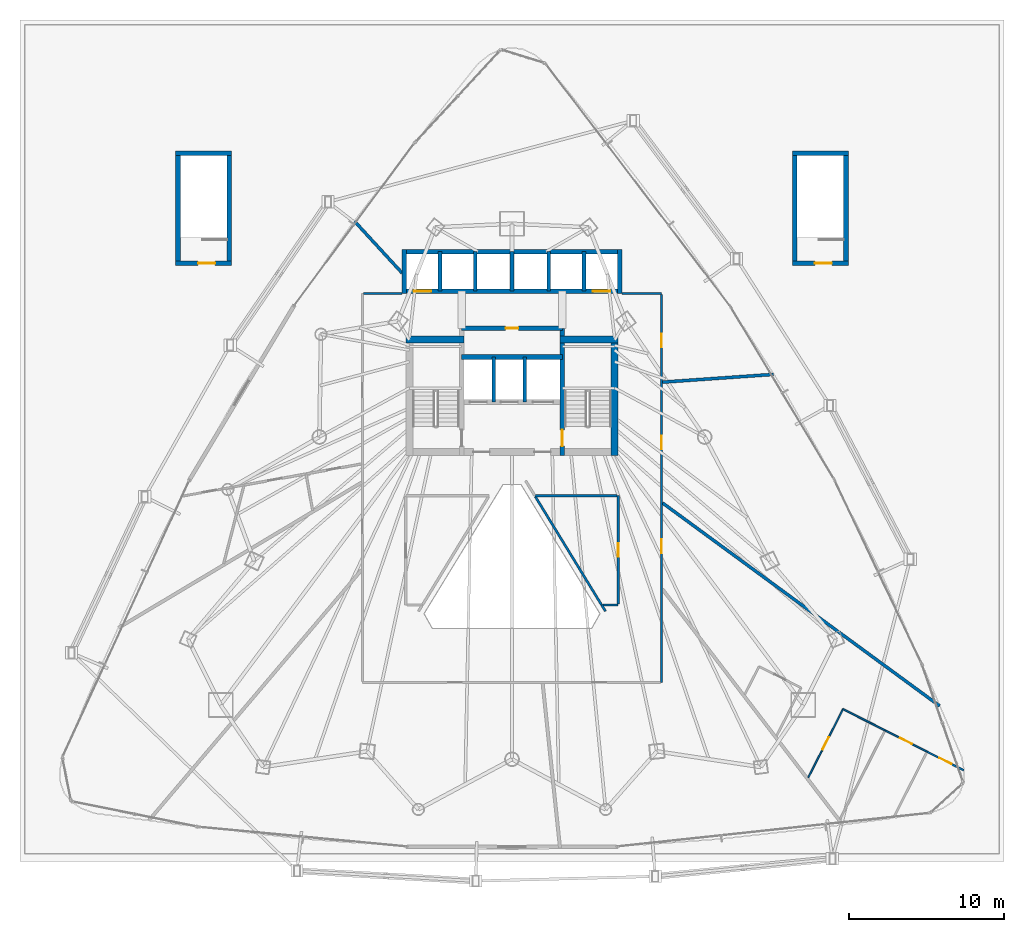
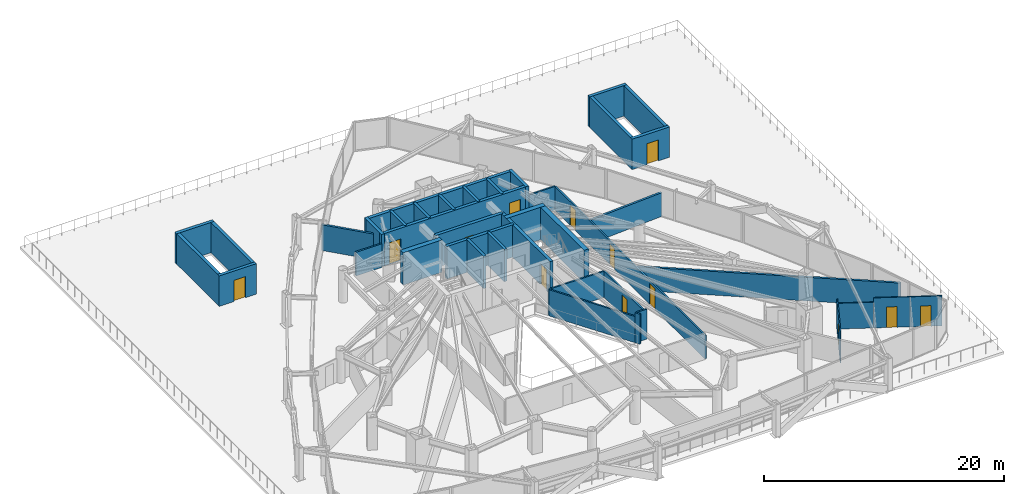
# One storey, part 30 of 36: 40 walls, 13 doors, 13 openings.
"""IFC4 building model written with IfcOpenShell, lengths in metres."""

from ifc_helpers import new_model, si_unit, direction, frame, frame_2d, origin, place, context, subcontext, project, spatial, rectangle, extrude, material, layer, layer_set, type_object, element, fill, save


model = new_model("IFC4")

# Units and contexts
model_context = context("Model", 3, precision=1e-05, world=origin(), true_north=direction((0.0, 1.0)))
body_context = subcontext(model_context, "Body", "Model", "MODEL_VIEW")
ifc_project = project(units=[si_unit("LENGTHUNIT", "METRE"), si_unit("AREAUNIT", "SQUARE_METRE"), si_unit("VOLUMEUNIT", "CUBIC_METRE"), si_unit("PLANEANGLEUNIT", "RADIAN"), si_unit("MASSUNIT", "GRAM", prefix="KILO")], contexts=[model_context])

# Site, building, storey
site_placement = place(None, origin())
site = spatial("IfcSite", under=ifc_project, at=site_placement, CompositionType="ELEMENT")
building_placement = place(site_placement, origin())
building = spatial("IfcBuilding", under=site, at=building_placement, Name="Orvanel Arch Residences", CompositionType="ELEMENT")
storey_placement = place(building_placement, frame((0.0, 0.0, 23.60009765625)))
storey = spatial("IfcBuildingStorey", under=building, at=storey_placement, Name="L05", CompositionType="ELEMENT", Elevation=23.60009765625)

# Walls
ifc_material_1 = material(Name="Concrete N50 (50 MPa)", Category="concrete")
ifc_layer_1 = layer(ifc_material_1, 0.25)
ifc_layer_set_1 = layer_set([ifc_layer_1], Name="Concrete N50 (50 MPa)")
wall_type_1 = type_object("IfcWallType", Name="SW-CORE-250", PredefinedType="SHEAR", material=ifc_layer_set_1)
for number, where, z_axis, x_axis, name in (
    (1, (31.824951171875, 29.89990234375, 0.0), (0.0, 0.0, 1.0), (0.0, 1.0, 0.0), "L05 Emergency Lift Inter-Shaft Wall F12"),
    (2, (33.824951171875, 29.89990234375, 0.0), (0.0, 0.0, 1.0), (0.0, 1.0, 0.0), "L05 Emergency Lift Inter-Shaft Wall F2G"),
):
    element("IfcWall", number, at=place(storey_placement, frame(where, z_axis=z_axis, x_axis=x_axis)), inside=storey, type_object=wall_type_1, Name=name, PredefinedType="SHEAR", context=body_context, shape_type="SweptSolid", body=[
        extrude(rectangle(XDim=2.900146484375, YDim=0.25, at=frame_2d((1.4501953125, 0.0))), origin(), (0.0, 0.0, 1.0), 3.2998046875),
    ])
for number, where, z_axis, x_axis, name in (
    (3, (28.35009765625, 37.050048828125, 0.0), (0.0, 0.0, 1.0), (0.0, 1.0, 0.0), "L05 Passenger Lift Inter-Shaft Wall P13"),
    (4, (30.625, 37.050048828125, 0.0), (0.0, 0.0, 1.0), (0.0, 1.0, 0.0), "L05 Passenger Lift Inter-Shaft Wall P35"),
    (5, (33.0, 37.050048828125, 0.0), (0.0, 0.0, 1.0), (0.0, 1.0, 0.0), "L05 Passenger Lift Inter-Shaft Wall P56"),
    (6, (35.375, 37.050048828125, 0.0), (0.0, 0.0, 1.0), (0.0, 1.0, 0.0), "L05 Passenger Lift Inter-Shaft Wall P64"),
    (7, (37.64990234375, 37.050048828125, 0.0), (0.0, 0.0, 1.0), (0.0, 1.0, 0.0), "L05 Passenger Lift Inter-Shaft Wall P42"),
):
    element("IfcWall", number, at=place(storey_placement, frame(where, z_axis=z_axis, x_axis=x_axis)), inside=storey, type_object=wall_type_1, Name=name, PredefinedType="SHEAR", context=body_context, shape_type="SweptSolid", body=[
        extrude(rectangle(XDim=2.550048828125, YDim=0.25, at=frame_2d((1.27490234375, 0.0))), origin(), (0.0, 0.0, 1.0), 3.2998046875),
    ])

# Wall, opening, door
ifc_material_2 = material(Name="Concrete S80 (80 MPa)", Category="concrete")
ifc_layer_2 = layer(ifc_material_2, 0.300048828125)
ifc_layer_set_2 = layer_set([ifc_layer_2], Name="Concrete S80 (80 MPa)")
wall_type_2 = type_object("IfcWallType", Name="SW-CORE-300", PredefinedType="SHEAR", material=ifc_layer_set_2)
wall_1_placement = place(storey_placement, frame((36.25, 26.449951171875, 0.0), z_axis=(0.0, 0.0, 1.0), x_axis=(0.0, 1.0, 0.0)))
wall_1 = element("IfcWall", 8, at=wall_1_placement, inside=storey, type_object=wall_type_2, Name="L05 East Inner Core Spine Shear Wall", PredefinedType="SHEAR", context=body_context, shape_type="SweptSolid", body=[
    extrude(rectangle(XDim=8.199951171875, YDim=0.300048828125, at=frame_2d((4.10009765625, 0.0))), origin(), (0.0, 0.0, 1.0), 3.2998046875),
])
opening_1_placement = place(wall_1_placement, frame((0.60009765625, 0.0, 0.0)))
opening_1 = element("IfcOpeningElement", 9, at=opening_1_placement, cuts=wall_1, Name="Opening DF-120", PredefinedType="OPENING", context=body_context, shape_type="SweptSolid", body=[
    extrude(rectangle(XDim=1.050048828125, YDim=2.14990234375, at=frame_2d((0.52490234375, 1.074951171875))), frame((0.0, 0.159912109375, 0.0), z_axis=(0.0, -1.0, 0.0), x_axis=(1.0, 0.0, 0.0)), (0.0, 0.0, 1.0), 0.320068359375),
])
ifc_material_3 = material(Name="Galvanised steel fire-resisting door assembly", Category="steel")
door_type_1 = type_object("IfcDoorType", Name="DR-FD120-1050", OperationType="NOTDEFINED", PredefinedType="DOOR", material=ifc_material_3)
door_1_placement = place(opening_1_placement, origin())
door_1 = element("IfcDoor", 10, at=door_1_placement, inside=storey, type_object=door_type_1, Name="DR-L05-ST2 L05 Stair 2 Fire Door", OperationType="SINGLE_SWING_RIGHT", OverallHeight=2.14990234375, OverallWidth=1.050048828125, PredefinedType="DOOR", context=body_context, shape_type="SweptSolid", body=[
    extrude(rectangle(XDim=1.050048828125, YDim=2.14990234375, at=frame_2d((0.52490234375, 1.074951171875))), frame((0.0, 0.02490234375, 0.0), z_axis=(0.0, -1.0, 0.0), x_axis=(1.0, 0.0, 0.0)), (0.0, 0.0, 1.0), 0.050048828125),
])
fill(opening_1, door_1)

# Wall
wall_2_placement = place(storey_placement, frame((29.75, 32.800048828125, 0.0), z_axis=(0.0, 0.0, 1.0), x_axis=(1.0, 0.0, 0.0)))
element("IfcWall", 11, at=wall_2_placement, inside=storey, type_object=wall_type_2, Name="L05 Emergency Lift Back Core Shear Wall", PredefinedType="SHEAR", context=body_context, shape_type="SweptSolid", body=[
    extrude(rectangle(XDim=6.5, YDim=0.300048828125, at=frame_2d((3.25, 0.0))), origin(), (0.0, 0.0, 1.0), 3.2998046875),
])

# Wall, opening, door
wall_3_placement = place(storey_placement, frame((29.75, 34.64990234375, 0.0), z_axis=(0.0, 0.0, 1.0), x_axis=(1.0, 0.0, 0.0)))
wall_3 = element("IfcWall", 12, at=wall_3_placement, inside=storey, type_object=wall_type_2, Name="L05 Core Service Band North Shear Wall", PredefinedType="SHEAR", context=body_context, shape_type="SweptSolid", body=[
    extrude(rectangle(XDim=6.5, YDim=0.300048828125, at=frame_2d((3.25, 0.0))), origin(), (0.0, 0.0, 1.0), 3.2998046875),
])
opening_2_placement = place(wall_3_placement, frame((2.840087890625, 0.0, 0.0)))
opening_2 = element("IfcOpeningElement", 13, at=opening_2_placement, cuts=wall_3, Name="Opening DS-082", PredefinedType="OPENING", context=body_context, shape_type="SweptSolid", body=[
    extrude(rectangle(XDim=0.820068359375, YDim=2.10009765625, at=frame_2d((0.41015625, 1.050048828125))), frame((0.0, 0.159912109375, 0.0), z_axis=(0.0, -1.0, 0.0), x_axis=(1.0, 0.0, 0.0)), (0.0, 0.0, 1.0), 0.320068359375),
])
door_type_2 = type_object("IfcDoorType", Name="DR-SVC-820", OperationType="NOTDEFINED", PredefinedType="DOOR", material=ifc_material_3)
door_2_placement = place(opening_2_placement, origin())
door_2 = element("IfcDoor", 14, at=door_2_placement, inside=storey, type_object=door_type_2, Name="DR-L05-CSVC-1 L05 Housekeeping Linen Store Door", OperationType="SINGLE_SWING_LEFT", OverallHeight=2.10009765625, OverallWidth=0.820068359375, PredefinedType="DOOR", context=body_context, shape_type="SweptSolid", body=[
    extrude(rectangle(XDim=0.820068359375, YDim=2.10009765625, at=frame_2d((0.41015625, 1.050048828125))), frame((0.0, 0.02490234375, 0.0), z_axis=(0.0, -1.0, 0.0), x_axis=(1.0, 0.0, 0.0)), (0.0, 0.0, 1.0), 0.050048828125),
])
fill(opening_2, door_2)

# Wall, openings, doors
wall_4_placement = place(storey_placement, frame((40.10009765625, 37.050048828125, 0.0), z_axis=(0.0, 0.0, 1.0), x_axis=(-1.0, 0.0, 0.0)))
wall_4 = element("IfcWall", 15, at=wall_4_placement, inside=storey, type_object=wall_type_2, Name="L05 Passenger Lift Bank Front Shear Wall", PredefinedType="SHEAR", context=body_context, shape_type="SweptSolid", body=[
    extrude(rectangle(XDim=14.2001953125, YDim=0.300048828125, at=frame_2d((7.10009765625, 0.0))), origin(), (0.0, 0.0, 1.0), 3.2998046875),
])
opening_3_placement = place(wall_4_placement, frame((12.324951171875, 0.0, 0.0)))
opening_3 = element("IfcOpeningElement", 16, at=opening_3_placement, cuts=wall_4, Name="Opening LD-110", PredefinedType="OPENING", context=body_context, shape_type="SweptSolid", body=[
    extrude(rectangle(XDim=1.10009765625, YDim=2.199951171875, at=frame_2d((0.550048828125, 1.10009765625))), frame((0.0, 0.159912109375, 0.0), z_axis=(0.0, -1.0, 0.0), x_axis=(1.0, 0.0, 0.0)), (0.0, 0.0, 1.0), 0.320068359375),
])
opening_4_placement = place(wall_4_placement, frame((0.77490234375, 0.0, 0.0)))
opening_4 = element("IfcOpeningElement", 17, at=opening_4_placement, cuts=wall_4, Name="Opening LD-110", PredefinedType="OPENING", context=body_context, shape_type="SweptSolid", body=[
    extrude(rectangle(XDim=1.10009765625, YDim=2.199951171875, at=frame_2d((0.550048828125, 1.10009765625))), frame((0.0, 0.159912109375, 0.0), z_axis=(0.0, -1.0, 0.0), x_axis=(1.0, 0.0, 0.0)), (0.0, 0.0, 1.0), 0.320068359375),
])
door_type_3 = type_object("IfcDoorType", Name="DR-LFT-1100", OperationType="NOTDEFINED", PredefinedType="DOOR", material=ifc_material_3)
door_3_placement = place(opening_3_placement, origin())
door_3 = element("IfcDoor", 18, at=door_3_placement, inside=storey, type_object=door_type_3, Name="LD-P1-L05 L05 Passenger Lift P1 Sliding Landing Door", OperationType="DOUBLE_DOOR_SLIDING", OverallHeight=2.199951171875, OverallWidth=1.10009765625, PredefinedType="DOOR", context=body_context, shape_type="SweptSolid", body=[
    extrude(rectangle(XDim=1.10009765625, YDim=2.199951171875, at=frame_2d((0.550048828125, 1.10009765625))), frame((0.0, 0.02490234375, 0.0), z_axis=(0.0, -1.0, 0.0), x_axis=(1.0, 0.0, 0.0)), (0.0, 0.0, 1.0), 0.050048828125),
])
fill(opening_3, door_3)
door_4_placement = place(opening_4_placement, origin())
door_4 = element("IfcDoor", 19, at=door_4_placement, inside=storey, type_object=door_type_3, Name="LD-P2-L05 L05 Passenger Lift P2 Sliding Landing Door", OperationType="DOUBLE_DOOR_SLIDING", OverallHeight=2.199951171875, OverallWidth=1.10009765625, PredefinedType="DOOR", context=body_context, shape_type="SweptSolid", body=[
    extrude(rectangle(XDim=1.10009765625, YDim=2.199951171875, at=frame_2d((0.550048828125, 1.10009765625))), frame((0.0, 0.02490234375, 0.0), z_axis=(0.0, -1.0, 0.0), x_axis=(1.0, 0.0, 0.0)), (0.0, 0.0, 1.0), 0.050048828125),
])
fill(opening_4, door_4)

# Walls
wall_5_placement = place(storey_placement, frame((25.89990234375, 39.60009765625, 0.0), z_axis=(0.0, 0.0, 1.0), x_axis=(1.0, 0.0, 0.0)))
element("IfcWall", 20, at=wall_5_placement, inside=storey, type_object=wall_type_2, Name="L05 Passenger Lift Bank North Shear Wall", PredefinedType="SHEAR", context=body_context, shape_type="SweptSolid", body=[
    extrude(rectangle(XDim=14.2001953125, YDim=0.300048828125, at=frame_2d((7.10009765625, 0.0))), origin(), (0.0, 0.0, 1.0), 3.2998046875),
])
for number, where, z_axis, x_axis, name in (
    (21, (26.050048828125, 36.89990234375, 0.0), (0.0, 0.0, 1.0), (0.0, 1.0, 0.0), "L05 Passenger Lift Bank West Shear Wall"),
    (22, (39.949951171875, 36.89990234375, 0.0), (0.0, 0.0, 1.0), (0.0, 1.0, 0.0), "L05 Passenger Lift Bank East Shear Wall"),
):
    element("IfcWall", number, at=place(storey_placement, frame(where, z_axis=z_axis, x_axis=x_axis)), inside=storey, type_object=wall_type_2, Name=name, PredefinedType="SHEAR", context=body_context, shape_type="SweptSolid", body=[
        extrude(rectangle(XDim=2.85009765625, YDim=0.300048828125, at=frame_2d((1.425048828125, 0.0))), origin(), (0.0, 0.0, 1.0), 3.2998046875),
    ])
ifc_layer_3 = layer(ifc_material_2, 0.449951171875)
ifc_layer_set_3 = layer_set([ifc_layer_3], Name="Concrete S80 (80 MPa)")
wall_type_3 = type_object("IfcWallType", Name="SW-CORE-450", PredefinedType="SHEAR", material=ifc_layer_set_3)
wall_6_placement = place(storey_placement, frame((26.14990234375, 33.925048828125, 0.0), z_axis=(0.0, 0.0, 1.0), x_axis=(1.0, 0.0, 0.0)))
element("IfcWall", 23, at=wall_6_placement, inside=storey, type_object=wall_type_3, Name="L05 West Stair North Shear Wall", PredefinedType="SHEAR", context=body_context, shape_type="SweptSolid", body=[
    extrude(rectangle(XDim=3.75, YDim=0.449951171875, at=frame_2d((1.875, 0.0))), origin(), (0.0, 0.0, 1.0), 3.2998046875),
])
wall_7_placement = place(storey_placement, frame((39.625, 26.449951171875, 0.0), z_axis=(0.0, 0.0, 1.0), x_axis=(0.0, 1.0, 0.0)))
element("IfcWall", 24, at=wall_7_placement, inside=storey, type_object=wall_type_3, Name="L05 East Stair Shear Wall", PredefinedType="SHEAR", context=body_context, shape_type="SweptSolid", body=[
    extrude(rectangle(XDim=7.699951171875, YDim=0.449951171875, at=frame_2d((3.85009765625, 0.0))), origin(), (0.0, 0.0, 1.0), 3.2998046875),
])
wall_8_placement = place(storey_placement, frame((36.10009765625, 33.925048828125, 0.0), z_axis=(0.0, 0.0, 1.0), x_axis=(1.0, 0.0, 0.0)))
element("IfcWall", 25, at=wall_8_placement, inside=storey, type_object=wall_type_3, Name="L05 East Stair North Shear Wall", PredefinedType="SHEAR", context=body_context, shape_type="SweptSolid", body=[
    extrude(rectangle(XDim=3.75, YDim=0.449951171875, at=frame_2d((1.875, 0.0))), origin(), (0.0, 0.0, 1.0), 3.2998046875),
])
ifc_layer_4 = layer(ifc_material_1, 0.300048828125)
ifc_layer_set_4 = layer_set([ifc_layer_4], Name="Concrete N50 (50 MPa)")
wall_type_4 = type_object("IfcWallType", Name="SW-HEAD-300", PredefinedType="SHEAR", material=ifc_layer_set_4)
for number, where, z_axis, x_axis, name in (
    (26, (11.449951171875, 38.699951171875, 0.0), (0.0, 0.0, 1.0), (0.0, 1.0, 0.0), "L05 ST3 West Shear Wall"),
    (27, (14.75, 38.699951171875, 0.0), (0.0, 0.0, 1.0), (0.0, 1.0, 0.0), "L05 ST3 East Shear Wall"),
):
    element("IfcWall", number, at=place(storey_placement, frame(where, z_axis=z_axis, x_axis=x_axis)), inside=storey, type_object=wall_type_4, Name=name, PredefinedType="SHEAR", context=body_context, shape_type="SweptSolid", body=[
        extrude(rectangle(XDim=7.400146484375, YDim=0.300048828125, at=frame_2d((3.7001953125, 0.0))), origin(), (0.0, 0.0, 1.0), 3.099853515625),
    ])
wall_9_placement = place(storey_placement, frame((11.300048828125, 45.949951171875, 0.0), z_axis=(0.0, 0.0, 1.0), x_axis=(1.0, 0.0, 0.0)))
element("IfcWall", 28, at=wall_9_placement, inside=storey, type_object=wall_type_4, Name="L05 ST3 North Shear Wall", PredefinedType="SHEAR", context=body_context, shape_type="SweptSolid", body=[
    extrude(rectangle(XDim=3.599853515625, YDim=0.300048828125, at=frame_2d((1.7998046875, 0.0))), origin(), (0.0, 0.0, 1.0), 3.099853515625),
])

# Wall, opening, door
wall_10_placement = place(storey_placement, frame((14.89990234375, 38.85009765625, 0.0), z_axis=(0.0, 0.0, 1.0), x_axis=(-1.0, 0.0, 0.0)))
wall_10 = element("IfcWall", 29, at=wall_10_placement, inside=storey, type_object=wall_type_4, Name="L05 ST3 South Shear Wall", PredefinedType="SHEAR", context=body_context, shape_type="SweptSolid", body=[
    extrude(rectangle(XDim=3.599853515625, YDim=0.300048828125, at=frame_2d((1.7998046875, 0.0))), origin(), (0.0, 0.0, 1.0), 3.099853515625),
])
opening_5_placement = place(wall_10_placement, frame((1.050048828125, 0.0, 0.0)))
opening_5 = element("IfcOpeningElement", 30, at=opening_5_placement, cuts=wall_10, Name="Opening DE-110", PredefinedType="OPENING", context=body_context, shape_type="SweptSolid", body=[
    extrude(rectangle(XDim=1.10009765625, YDim=2.14990234375, at=frame_2d((0.550048828125, 1.074951171875))), frame((0.0, 0.159912109375, 0.0), z_axis=(0.0, -1.0, 0.0), x_axis=(1.0, 0.0, 0.0)), (0.0, 0.0, 1.0), 0.320068359375),
])
door_type_4 = type_object("IfcDoorType", Name="DR-ESC-1100", OperationType="NOTDEFINED", PredefinedType="DOOR", material=ifc_material_3)
door_5_placement = place(opening_5_placement, origin())
door_5 = element("IfcDoor", 31, at=door_5_placement, inside=storey, type_object=door_type_4, Name="DR-L05-ST3 L05 ST3 Exit Door", OperationType="SINGLE_SWING_LEFT", OverallHeight=2.14990234375, OverallWidth=1.10009765625, PredefinedType="DOOR", context=body_context, shape_type="SweptSolid", body=[
    extrude(rectangle(XDim=1.10009765625, YDim=2.14990234375, at=frame_2d((0.550048828125, 1.074951171875))), frame((0.0, 0.02490234375, 0.0), z_axis=(0.0, -1.0, 0.0), x_axis=(1.0, 0.0, 0.0)), (0.0, 0.0, 1.0), 0.050048828125),
])
fill(opening_5, door_5)

# Walls
for number, where, z_axis, x_axis, name in (
    (32, (51.25, 38.699951171875, 0.0), (0.0, 0.0, 1.0), (0.0, 1.0, 0.0), "L05 ST4 West Shear Wall"),
    (33, (54.550048828125, 38.699951171875, 0.0), (0.0, 0.0, 1.0), (0.0, 1.0, 0.0), "L05 ST4 East Shear Wall"),
):
    element("IfcWall", number, at=place(storey_placement, frame(where, z_axis=z_axis, x_axis=x_axis)), inside=storey, type_object=wall_type_4, Name=name, PredefinedType="SHEAR", context=body_context, shape_type="SweptSolid", body=[
        extrude(rectangle(XDim=7.400146484375, YDim=0.300048828125, at=frame_2d((3.7001953125, 0.0))), origin(), (0.0, 0.0, 1.0), 3.099853515625),
    ])
wall_11_placement = place(storey_placement, frame((51.10009765625, 45.949951171875, 0.0), z_axis=(0.0, 0.0, 1.0), x_axis=(1.0, 0.0, 0.0)))
element("IfcWall", 34, at=wall_11_placement, inside=storey, type_object=wall_type_4, Name="L05 ST4 North Shear Wall", PredefinedType="SHEAR", context=body_context, shape_type="SweptSolid", body=[
    extrude(rectangle(XDim=3.599853515625, YDim=0.300048828125, at=frame_2d((1.7998046875, 0.0))), origin(), (0.0, 0.0, 1.0), 3.099853515625),
])

# Wall, opening, door
wall_12_placement = place(storey_placement, frame((54.699951171875, 38.85009765625, 0.0), z_axis=(0.0, 0.0, 1.0), x_axis=(-1.0, 0.0, 0.0)))
wall_12 = element("IfcWall", 35, at=wall_12_placement, inside=storey, type_object=wall_type_4, Name="L05 ST4 South Shear Wall", PredefinedType="SHEAR", context=body_context, shape_type="SweptSolid", body=[
    extrude(rectangle(XDim=3.599853515625, YDim=0.300048828125, at=frame_2d((1.7998046875, 0.0))), origin(), (0.0, 0.0, 1.0), 3.099853515625),
])
opening_6_placement = place(wall_12_placement, frame((1.050048828125, 0.0, 0.0)))
opening_6 = element("IfcOpeningElement", 36, at=opening_6_placement, cuts=wall_12, Name="Opening DE-110", PredefinedType="OPENING", context=body_context, shape_type="SweptSolid", body=[
    extrude(rectangle(XDim=1.10009765625, YDim=2.14990234375, at=frame_2d((0.550048828125, 1.074951171875))), frame((0.0, 0.159912109375, 0.0), z_axis=(0.0, -1.0, 0.0), x_axis=(1.0, 0.0, 0.0)), (0.0, 0.0, 1.0), 0.320068359375),
])
door_6_placement = place(opening_6_placement, origin())
door_6 = element("IfcDoor", 37, at=door_6_placement, inside=storey, type_object=door_type_4, Name="DR-L05-ST4 L05 ST4 Exit Door", OperationType="SINGLE_SWING_LEFT", OverallHeight=2.14990234375, OverallWidth=1.10009765625, PredefinedType="DOOR", context=body_context, shape_type="SweptSolid", body=[
    extrude(rectangle(XDim=1.10009765625, YDim=2.14990234375, at=frame_2d((0.550048828125, 1.074951171875))), frame((0.0, 0.02490234375, 0.0), z_axis=(0.0, -1.0, 0.0), x_axis=(1.0, 0.0, 0.0)), (0.0, 0.0, 1.0), 0.050048828125),
])
fill(opening_6, door_6)

# Wall
ifc_material_4 = material(Name="Fire-rated plasterboard lined steel stud partition", Category="steel")
ifc_layer_5 = layer(ifc_material_4, 0.14990234375)
ifc_layer_set_5 = layer_set([ifc_layer_5], Name="Fire-rated plasterboard lined steel stud partition")
wall_type_5 = type_object("IfcWallType", Name="W-COR-150", PredefinedType="PARTITIONING", material=ifc_layer_set_5)
wall_13_placement = place(storey_placement, frame((40.10009765625, 36.89990234375, 0.0), z_axis=(0.0, 0.0, 1.0), x_axis=(1.0, 0.0, 0.0)))
element("IfcWall", 38, at=wall_13_placement, inside=storey, type_object=wall_type_5, Name="L05 Corridor Fire-Rated Partition", PredefinedType="PARTITIONING", context=body_context, shape_type="SweptSolid", body=[
    extrude(rectangle(XDim=2.5498046875, YDim=0.14990234375, at=frame_2d((1.27490234375, 0.0))), origin(), (0.0, 0.0, 1.0), 2.412841796875),
])

# Wall, openings, doors
wall_14_placement = place(storey_placement, frame((42.64990234375, 36.840087890625, 0.0), z_axis=(0.0, 0.0, 1.0), x_axis=(0.0, -1.0, 0.0)))
wall_14 = element("IfcWall", 39, at=wall_14_placement, inside=storey, type_object=wall_type_5, Name="L05 Corridor Fire-Rated Partition", PredefinedType="PARTITIONING", context=body_context, shape_type="SweptSolid", body=[
    extrude(rectangle(XDim=25.0400390625, YDim=0.14990234375, at=frame_2d((12.52001953125, 0.0))), origin(), (0.0, 0.0, 1.0), 2.412841796875),
])
opening_7_placement = place(wall_14_placement, frame((2.54296875, 0.0, 0.0)))
opening_7 = element("IfcOpeningElement", 40, at=opening_7_placement, cuts=wall_14, Name="Opening DI-088", PredefinedType="OPENING", context=body_context, shape_type="SweptSolid", body=[
    extrude(rectangle(XDim=0.8798828125, YDim=2.10009765625, at=frame_2d((0.43994140625, 1.050048828125))), frame((0.0, 0.0849609375, 0.0), z_axis=(0.0, -1.0, 0.0), x_axis=(1.0, 0.0, 0.0)), (0.0, 0.0, 1.0), 0.169921875),
])
opening_8_placement = place(wall_14_placement, frame((15.7900390625, 0.0, 0.0)))
opening_8 = element("IfcOpeningElement", 41, at=opening_8_placement, cuts=wall_14, Name="Opening DA-092", PredefinedType="OPENING", context=body_context, shape_type="SweptSolid", body=[
    extrude(rectangle(XDim=0.919921875, YDim=2.14990234375, at=frame_2d((0.4599609375, 1.074951171875))), frame((0.0, 0.0849609375, 0.0), z_axis=(0.0, -1.0, 0.0), x_axis=(1.0, 0.0, 0.0)), (0.0, 0.0, 1.0), 0.169921875),
])
opening_9_placement = place(wall_14_placement, frame((9.123046875, 0.0, 0.0)))
opening_9 = element("IfcOpeningElement", 42, at=opening_9_placement, cuts=wall_14, Name="Opening DI-088", PredefinedType="OPENING", context=body_context, shape_type="SweptSolid", body=[
    extrude(rectangle(XDim=0.8798828125, YDim=2.10009765625, at=frame_2d((0.43994140625, 1.050048828125))), frame((0.0, 0.0849609375, 0.0), z_axis=(0.0, -1.0, 0.0), x_axis=(1.0, 0.0, 0.0)), (0.0, 0.0, 1.0), 0.169921875),
])
ifc_material_5 = material(Name="Solid-core European oak veneer fire door leaf", Category="wood")
door_type_5 = type_object("IfcDoorType", Name="DR-APT-920", OperationType="NOTDEFINED", PredefinedType="DOOR", material=ifc_material_5)
door_7_placement = place(opening_8_placement, origin())
door_7 = element("IfcDoor", 43, at=door_7_placement, inside=storey, type_object=door_type_5, Name="DR-L05-E-ENT L05 Flat E Entrance Door", OperationType="SINGLE_SWING_RIGHT", OverallHeight=2.14990234375, OverallWidth=0.919921875, PredefinedType="DOOR", context=body_context, shape_type="SweptSolid", body=[
    extrude(rectangle(XDim=0.919921875, YDim=2.14990234375, at=frame_2d((0.4599609375, 1.074951171875))), frame((0.0, 0.02490234375, 0.0), z_axis=(0.0, -1.0, 0.0), x_axis=(1.0, 0.0, 0.0)), (0.0, 0.0, 1.0), 0.050048828125),
])
fill(opening_8, door_7)
door_type_6 = type_object("IfcDoorType", Name="DR-INT-880", OperationType="NOTDEFINED", PredefinedType="DOOR", material=ifc_material_5)
door_8_placement = place(opening_7_placement, origin())
door_8 = element("IfcDoor", 44, at=door_8_placement, inside=storey, type_object=door_type_6, Name="DR-L05-SHRD-FB2 L05 Co-Working Study Office B Door", OperationType="SINGLE_SWING_LEFT", OverallHeight=2.10009765625, OverallWidth=0.8798828125, PredefinedType="DOOR", context=body_context, shape_type="SweptSolid", body=[
    extrude(rectangle(XDim=0.8798828125, YDim=2.10009765625, at=frame_2d((0.43994140625, 1.050048828125))), frame((0.0, 0.02490234375, 0.0), z_axis=(0.0, -1.0, 0.0), x_axis=(1.0, 0.0, 0.0)), (0.0, 0.0, 1.0), 0.050048828125),
])
fill(opening_7, door_8)
door_9_placement = place(opening_9_placement, origin())
door_9 = element("IfcDoor", 45, at=door_9_placement, inside=storey, type_object=door_type_6, Name="DR-L05-SHRD-FB7 L05 Co-Working Study Office G Door", OperationType="SINGLE_SWING_LEFT", OverallHeight=2.10009765625, OverallWidth=0.8798828125, PredefinedType="DOOR", context=body_context, shape_type="SweptSolid", body=[
    extrude(rectangle(XDim=0.8798828125, YDim=2.10009765625, at=frame_2d((0.43994140625, 1.050048828125))), frame((0.0, 0.02490234375, 0.0), z_axis=(0.0, -1.0, 0.0), x_axis=(1.0, 0.0, 0.0)), (0.0, 0.0, 1.0), 0.050048828125),
])
fill(opening_9, door_9)

# Walls
wall_15_placement = place(storey_placement, frame((23.409912109375, 36.89990234375, 0.0), z_axis=(0.0, 0.0, 1.0), x_axis=(1.0, 0.0, 0.0)))
element("IfcWall", 46, at=wall_15_placement, inside=storey, type_object=wall_type_5, Name="L05 Corridor Fire-Rated Partition", PredefinedType="PARTITIONING", context=body_context, shape_type="SweptSolid", body=[
    extrude(rectangle(XDim=2.489990234375, YDim=0.14990234375, at=frame_2d((1.2451171875, 0.0))), origin(), (0.0, 0.0, 1.0), 2.412841796875),
])
wall_16_placement = place(storey_placement, frame((39.030029296875, 16.39404296875, 0.0), z_axis=(0.0, 0.0, 1.0), x_axis=(-0.51343298076, 0.858129695482, 0.0)))
element("IfcWall", 47, at=wall_16_placement, inside=storey, type_object=wall_type_5, Name="L05 Corridor Fire-Rated Partition", PredefinedType="PARTITIONING", context=body_context, shape_type="SweptSolid", body=[
    extrude(rectangle(XDim=0.47314453125, YDim=0.14990234375, at=frame_2d((0.236572265625, 0.0))), origin(), (0.0, 0.0, 1.0), 3.059814453125),
])
wall_17_placement = place(storey_placement, frame((38.85693359375, 16.800048828125, 0.0), z_axis=(0.0, 0.0, 1.0), x_axis=(1.0, 0.0, 0.0)))
element("IfcWall", 48, at=wall_17_placement, inside=storey, type_object=wall_type_5, Name="L05 Corridor Fire-Rated Partition", PredefinedType="PARTITIONING", context=body_context, shape_type="SweptSolid", body=[
    extrude(rectangle(XDim=0.9931640625, YDim=0.14990234375, at=frame_2d((0.49658203125, 0.0))), origin(), (0.0, 0.0, 1.0), 3.059814453125),
])

# Wall, opening, door
wall_18_placement = place(storey_placement, frame((39.85009765625, 16.860107421875, 0.0), z_axis=(0.0, 0.0, 1.0), x_axis=(0.0, 1.0, 0.0)))
wall_18 = element("IfcWall", 49, at=wall_18_placement, inside=storey, type_object=wall_type_5, Name="L05 Corridor Fire-Rated Partition", PredefinedType="PARTITIONING", context=body_context, shape_type="SweptSolid", body=[
    extrude(rectangle(XDim=6.989990234375, YDim=0.14990234375, at=frame_2d((3.4951171875, 0.0))), origin(), (0.0, 0.0, 1.0), 2.6689453125),
])
opening_10_placement = place(wall_18_placement, frame((3.054931640625, 0.0, 0.0)))
opening_10 = element("IfcOpeningElement", 50, at=opening_10_placement, cuts=wall_18, Name="Opening DI-088", PredefinedType="OPENING", context=body_context, shape_type="SweptSolid", body=[
    extrude(rectangle(XDim=0.8798828125, YDim=2.10009765625, at=frame_2d((0.43994140625, 1.050048828125))), frame((0.0, 0.0849609375, 0.0), z_axis=(0.0, -1.0, 0.0), x_axis=(1.0, 0.0, 0.0)), (0.0, 0.0, 1.0), 0.169921875),
])
door_10_placement = place(opening_10_placement, origin())
door_10 = element("IfcDoor", 51, at=door_10_placement, inside=storey, type_object=door_type_6, Name="DR-L05-SHRD-FB8 L05 Co-Working Study Office H Door", OperationType="SINGLE_SWING_LEFT", OverallHeight=2.10009765625, OverallWidth=0.8798828125, PredefinedType="DOOR", context=body_context, shape_type="SweptSolid", body=[
    extrude(rectangle(XDim=0.8798828125, YDim=2.10009765625, at=frame_2d((0.43994140625, 1.050048828125))), frame((0.0, 0.02490234375, 0.0), z_axis=(0.0, -1.0, 0.0), x_axis=(1.0, 0.0, 0.0)), (0.0, 0.0, 1.0), 0.050048828125),
])
fill(opening_10, door_10)

# Walls
wall_19_placement = place(storey_placement, frame((39.7900390625, 23.85009765625, 0.0), z_axis=(0.0, 0.0, 1.0), x_axis=(-1.0, 0.0, 0.0)))
element("IfcWall", 52, at=wall_19_placement, inside=storey, type_object=wall_type_5, Name="L05 Corridor Fire-Rated Partition", PredefinedType="PARTITIONING", context=body_context, shape_type="SweptSolid", body=[
    extrude(rectangle(XDim=5.31298828125, YDim=0.14990234375, at=frame_2d((2.656494140625, 0.0))), origin(), (0.0, 0.0, 1.0), 2.6689453125),
])
wall_20_placement = place(storey_placement, frame((34.508056640625, 23.7900390625, 0.0), z_axis=(0.0, 0.0, 1.0), x_axis=(0.52163195406, -0.853170618636, 0.0)))
element("IfcWall", 53, at=wall_20_placement, inside=storey, type_object=wall_type_5, Name="L05 Atrium Overlook Glazed Partition", PredefinedType="PARTITIONING", context=body_context, shape_type="SweptSolid", body=[
    extrude(rectangle(XDim=8.1953125, YDim=0.14990234375, at=frame_2d((4.09765625, 0.0))), origin(), (0.0, 0.0, 1.0), 2.6689453125),
])
ifc_layer_6 = layer(ifc_material_4, 0.199951171875)
ifc_layer_set_6 = layer_set([ifc_layer_6], Name="Fire-rated plasterboard lined steel stud partition")
wall_type_6 = type_object("IfcWallType", Name="W-DEM-200", PredefinedType="PARTITIONING", material=ifc_layer_set_6)
wall_21_placement = place(storey_placement, frame((25.9150390625, 38.212890625, 0.0), z_axis=(0.0, 0.0, 1.0), x_axis=(-0.676584398078, 0.736365094418, 0.0)))
element("IfcWall", 54, at=wall_21_placement, inside=storey, type_object=wall_type_6, Name="L05 Inter-Tenancy Acoustic Demising Wall", PredefinedType="PARTITIONING", context=body_context, shape_type="SweptSolid", body=[
    extrude(rectangle(XDim=4.549560546875, YDim=0.199951171875, at=frame_2d((2.27490234375, 0.0))), origin(), (0.0, 0.0, 1.0), 2.618896484375),
])
wall_22_placement = place(storey_placement, frame((49.881103515625, 31.679931640625, 0.0), z_axis=(0.0, 0.0, 1.0), x_axis=(-0.997568680722, -0.069690223431, 0.0)))
element("IfcWall", 55, at=wall_22_placement, inside=storey, type_object=wall_type_6, Name="L05 Inter-Tenancy Acoustic Demising Wall", PredefinedType="PARTITIONING", context=body_context, shape_type="SweptSolid", body=[
    extrude(rectangle(XDim=7.188720703125, YDim=0.199951171875, at=frame_2d((3.59423828125, 0.0))), origin(), (0.0, 0.0, 1.0), 2.412841796875),
])
wall_23_placement = place(storey_placement, frame((42.7099609375, 23.386962890625, 0.0), z_axis=(0.0, 0.0, 1.0), x_axis=(0.806713303584, -0.590943014021, 0.0)))
element("IfcWall", 56, at=wall_23_placement, inside=storey, type_object=wall_type_6, Name="L05 Inter-Tenancy Acoustic Demising Wall", PredefinedType="PARTITIONING", context=body_context, shape_type="SweptSolid", body=[
    extrude(rectangle(XDim=22.17138671875, YDim=0.199951171875, at=frame_2d((11.085693359375, 0.0))), origin(), (0.0, 0.0, 1.0), 2.412841796875),
])

# Wall, opening, door
ifc_material_6 = material(Name="Acoustic plasterboard lined twin-stud partition", Category="gypsum")
ifc_layer_7 = layer(ifc_material_6, 0.10009765625)
ifc_layer_set_7 = layer_set([ifc_layer_7], Name="Acoustic plasterboard lined twin-stud partition")
wall_type_7 = type_object("IfcWallType", Name="W-INT-100", PredefinedType="PARTITIONING", material=ifc_layer_set_7)
wall_24_placement = place(storey_placement, frame((59.783935546875, 7.3330078125, 0.0), z_axis=(0.0, 0.0, 1.0), x_axis=(-0.891842269509, 0.452346511336, 0.0)))
wall_24 = element("IfcWall", 57, at=wall_24_placement, inside=storey, type_object=wall_type_7, Name="L05 Flat E Internal Partition", PredefinedType="PARTITIONING", context=body_context, shape_type="SweptSolid", body=[
    extrude(rectangle(XDim=3.039794921875, YDim=0.10009765625, at=frame_2d((1.52001953125, 0.0))), origin(), (0.0, 0.0, 1.0), 3.059814453125),
])
opening_11_placement = place(wall_24_placement, frame((1.080078125, 0.0, 0.0)))
opening_11 = element("IfcOpeningElement", 58, at=opening_11_placement, cuts=wall_24, Name="Opening DI-088", PredefinedType="OPENING", context=body_context, shape_type="SweptSolid", body=[
    extrude(rectangle(XDim=0.8798828125, YDim=2.10009765625, at=frame_2d((0.43994140625, 1.050048828125))), frame((0.0, 0.06005859375, 0.0), z_axis=(0.0, -1.0, 0.0), x_axis=(1.0, 0.0, 0.0)), (0.0, 0.0, 1.0), 0.1201171875),
])
door_11_placement = place(opening_11_placement, origin())
door_11 = element("IfcDoor", 59, at=door_11_placement, inside=storey, type_object=door_type_6, Name="DR-L05-E-BED1 L05 Flat E Bedroom 1 Door", OperationType="SINGLE_SWING_LEFT", OverallHeight=2.10009765625, OverallWidth=0.8798828125, PredefinedType="DOOR", context=body_context, shape_type="SweptSolid", body=[
    extrude(rectangle(XDim=0.8798828125, YDim=2.10009765625, at=frame_2d((0.43994140625, 1.050048828125))), frame((0.0, 0.02490234375, 0.0), z_axis=(0.0, -1.0, 0.0), x_axis=(1.0, 0.0, 0.0)), (0.0, 0.0, 1.0), 0.050048828125),
])
fill(opening_11, door_11)

# Wall
wall_25_placement = place(storey_placement, frame((57.072998046875, 8.7080078125, 0.0), z_axis=(0.0, 0.0, 1.0), x_axis=(-0.891842269509, 0.452346511336, 0.0)))
element("IfcWall", 60, at=wall_25_placement, inside=storey, type_object=wall_type_7, Name="L05 Flat E Internal Partition", PredefinedType="PARTITIONING", context=body_context, shape_type="SweptSolid", body=[
    extrude(rectangle(XDim=3.039794921875, YDim=0.10009765625, at=frame_2d((1.52001953125, 0.0))), origin(), (0.0, 0.0, 1.0), 2.618896484375),
])

# Wall, opening, door
wall_26_placement = place(storey_placement, frame((54.362060546875, 10.0830078125, 0.0), z_axis=(0.0, 0.0, 1.0), x_axis=(-0.452306340277, -0.891862643317, 0.0)))
wall_26 = element("IfcWall", 61, at=wall_26_placement, inside=storey, type_object=wall_type_7, Name="L05 Flat E Internal Partition", PredefinedType="PARTITIONING", context=body_context, shape_type="SweptSolid", body=[
    extrude(rectangle(XDim=4.95947265625, YDim=0.10009765625, at=frame_2d((2.479736328125, 0.0))), origin(), (0.0, 0.0, 1.0), 3.059814453125),
])
opening_12_placement = place(wall_26_placement, frame((2.0400390625, 0.0, 0.0)))
opening_12 = element("IfcOpeningElement", 62, at=opening_12_placement, cuts=wall_26, Name="Opening DI-088", PredefinedType="OPENING", context=body_context, shape_type="SweptSolid", body=[
    extrude(rectangle(XDim=0.8798828125, YDim=2.10009765625, at=frame_2d((0.43994140625, 1.050048828125))), frame((0.0, 0.06005859375, 0.0), z_axis=(0.0, -1.0, 0.0), x_axis=(1.0, 0.0, 0.0)), (0.0, 0.0, 1.0), 0.1201171875),
])
door_12_placement = place(opening_12_placement, origin())
door_12 = element("IfcDoor", 63, at=door_12_placement, inside=storey, type_object=door_type_6, Name="DR-L05-E-OFC2 L05 Flat E Home Work Office 1 Door", OperationType="SINGLE_SWING_LEFT", OverallHeight=2.10009765625, OverallWidth=0.8798828125, PredefinedType="DOOR", context=body_context, shape_type="SweptSolid", body=[
    extrude(rectangle(XDim=0.8798828125, YDim=2.10009765625, at=frame_2d((0.43994140625, 1.050048828125))), frame((0.0, 0.02490234375, 0.0), z_axis=(0.0, -1.0, 0.0), x_axis=(1.0, 0.0, 0.0)), (0.0, 0.0, 1.0), 0.050048828125),
])
fill(opening_12, door_12)

ifc_layer_8 = layer(ifc_material_6, 0.1201171875)
ifc_layer_set_8 = layer_set([ifc_layer_8], Name="Acoustic plasterboard lined twin-stud partition")
wall_type_8 = type_object("IfcWallType", Name="W-WET-120", PredefinedType="PARTITIONING", material=ifc_layer_set_8)
wall_27_placement = place(storey_placement, frame((62.153076171875, 6.132080078125, 0.0), z_axis=(0.0, 0.0, 1.0), x_axis=(-0.891950280654, 0.452133494491, 0.0)))
wall_27 = element("IfcWall", 64, at=wall_27_placement, inside=storey, type_object=wall_type_8, Name="L05 Flat E Internal Partition", PredefinedType="PARTITIONING", context=body_context, shape_type="SweptSolid", body=[
    extrude(rectangle(XDim=2.65625, YDim=0.1201171875, at=frame_2d((1.328125, 0.0))), origin(), (0.0, 0.0, 1.0), 3.059814453125),
])
opening_13_placement = place(wall_27_placement, frame((0.887939453125, 0.0, 0.0)))
opening_13 = element("IfcOpeningElement", 65, at=opening_13_placement, cuts=wall_27, Name="Opening DI-088", PredefinedType="OPENING", context=body_context, shape_type="SweptSolid", body=[
    extrude(rectangle(XDim=0.8798828125, YDim=2.10009765625, at=frame_2d((0.43994140625, 1.050048828125))), frame((0.0, 0.070068359375, 0.0), z_axis=(0.0, -1.0, 0.0), x_axis=(1.0, 0.0, 0.0)), (0.0, 0.0, 1.0), 0.14013671875),
])
door_13_placement = place(opening_13_placement, origin())
door_13 = element("IfcDoor", 66, at=door_13_placement, inside=storey, type_object=door_type_6, Name="DR-L05-E-KIT L05 Flat E Kitchen Door", OperationType="SINGLE_SWING_LEFT", OverallHeight=2.10009765625, OverallWidth=0.8798828125, PredefinedType="DOOR", context=body_context, shape_type="SweptSolid", body=[
    extrude(rectangle(XDim=0.8798828125, YDim=2.10009765625, at=frame_2d((0.43994140625, 1.050048828125))), frame((0.0, 0.02490234375, 0.0), z_axis=(0.0, -1.0, 0.0), x_axis=(1.0, 0.0, 0.0)), (0.0, 0.0, 1.0), 0.050048828125),
])
fill(opening_13, door_13)

save(model, "model.ifc")
